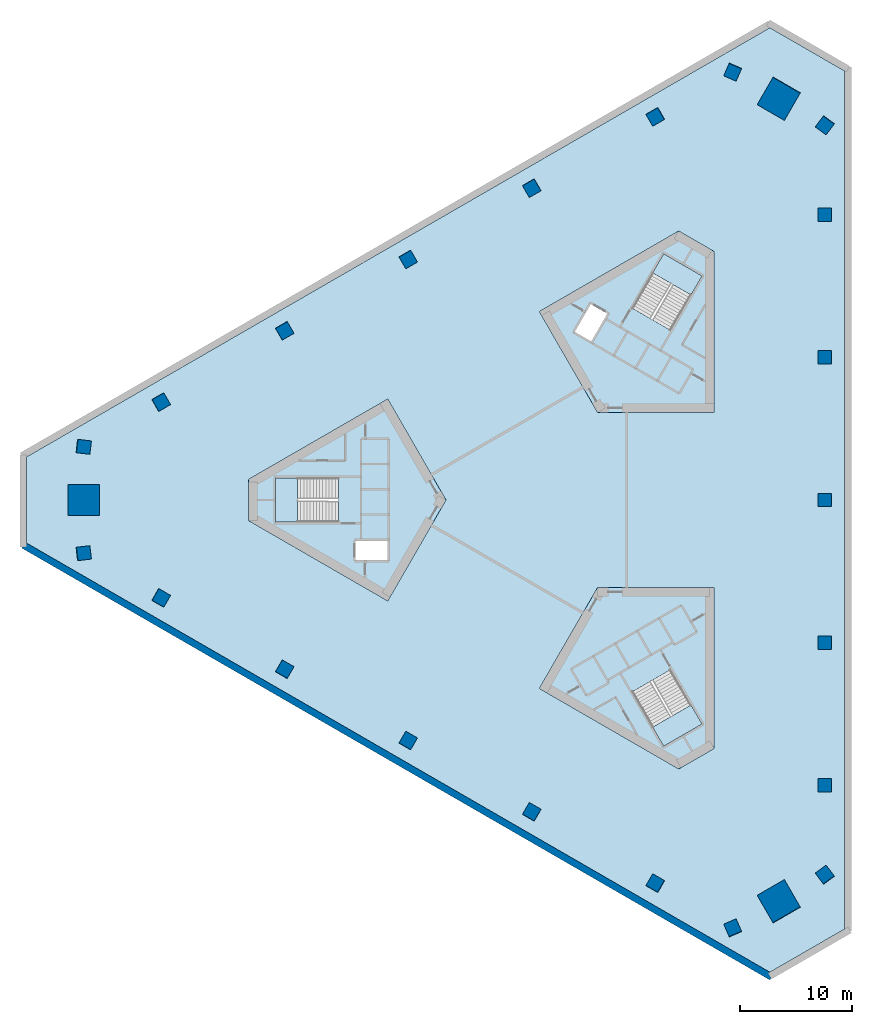
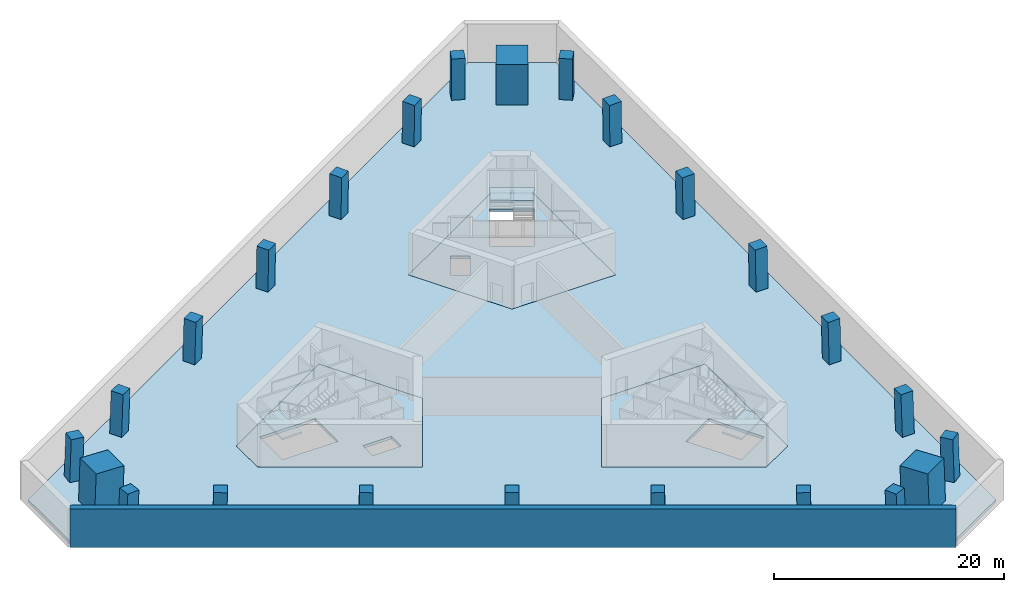
# One storey, part 1 of 6: 24 columns, 7 slabs, 1 wall, 3 elements without a shape of their own.
"""IFC4 building model written with IfcOpenShell, lengths in metres."""

from ifc_helpers import new_model, si_unit, direction, frame, frame_2d, origin, origin_2d, place, context, subcontext, project, spatial, polyline, rectangle, outline, extrude, material, layer, layer_set, material_profile, profile_set, type_object, element, aggregate, save


model = new_model("IFC4")

# Units and contexts
model_context = context("Model", 3, precision=1e-05, world=origin(), true_north=direction((0.0, 1.0)))
body_context = subcontext(model_context, "Body", "Model", "MODEL_VIEW")
ifc_project = project(units=[si_unit("LENGTHUNIT", "METRE"), si_unit("AREAUNIT", "SQUARE_METRE"), si_unit("VOLUMEUNIT", "CUBIC_METRE"), si_unit("PLANEANGLEUNIT", "RADIAN"), si_unit("MASSUNIT", "GRAM", prefix="KILO")], contexts=[model_context])

# Site, building, storey
site_placement = place(None, origin())
site = spatial("IfcSite", under=ifc_project, at=site_placement, CompositionType="ELEMENT")
building_placement = place(site_placement, origin())
building = spatial("IfcBuilding", under=site, at=building_placement, Name="Jabali Bay Hotel Tower and Convention Centre", CompositionType="ELEMENT")
storey_placement = place(building_placement, frame((0.0, 0.0, -4.5)))
storey = spatial("IfcBuildingStorey", under=building, at=storey_placement, Name="B1", CompositionType="ELEMENT", Elevation=-4.5)

# Columns
ifc_material_1 = material(Name="Concrete C60", Category="concrete")
ifc_material_profile_1 = material_profile(ifc_material_1, rectangle(XDim=1.199951171875, YDim=1.199951171875, at=origin_2d()), Name="Frame column 1200")
ifc_profile_set_1 = profile_set([ifc_material_profile_1], Name="Concrete C60")
column_type_1 = type_object("IfcColumnType", Name="Frame column 1200", PredefinedType="COLUMN", material=ifc_profile_set_1)
column_1_placement = place(storey_placement, frame((84.6376953125, 114.13916015625, 0.0), z_axis=(-0.008405659566, -0.02814540203, 0.999568497519), x_axis=(0.866414396072, 0.498869725048, 0.021332878618)))
element("IfcColumn", 1, at=column_1_placement, inside=storey, type_object=column_type_1, Name="FC1 F1.1 B1", PredefinedType="COLUMN", context=body_context, shape_type="SweptSolid", body=[
    extrude(rectangle(XDim=1.199951171875, YDim=1.199951171875, at=origin_2d()), origin(), (0.0, 0.0, 1.0), 4.501953125),
])
column_2_placement = place(storey_placement, frame((73.632080078125, 107.78515625, 0.0), z_axis=(0.000867828886, -0.022834747559, 0.999738876496), x_axis=(0.865839833963, 0.500207415378, 0.01067349634)))
element("IfcColumn", 2, at=column_2_placement, inside=storey, type_object=column_type_1, Name="FC1 F1.2 B1", PredefinedType="COLUMN", context=body_context, shape_type="SweptSolid", body=[
    extrude(rectangle(XDim=1.199951171875, YDim=1.199951171875, at=origin_2d()), origin(), (0.0, 0.0, 1.0), 4.501220703125),
])
column_3_placement = place(storey_placement, frame((62.626708984375, 101.43115234375, 0.0), z_axis=(0.010089092817, -0.017466063909, 0.999796552713), x_axis=(0.865915208932, 0.500190814531, 6.5832e-08)))
element("IfcColumn", 3, at=column_3_placement, inside=storey, type_object=column_type_1, Name="FC1 F1.3 B1", PredefinedType="COLUMN", context=body_context, shape_type="SweptSolid", body=[
    extrude(rectangle(XDim=1.199951171875, YDim=1.199951171875, at=origin_2d()), origin(), (0.0, 0.0, 1.0), 4.5009765625),
])
column_4_placement = place(storey_placement, frame((51.621337890625, 95.0771484375, 0.0), z_axis=(0.019309209326, -0.012149614857, 0.999739736779), x_axis=(-0.49944568018, 0.866110328203, 0.020172058141)))
element("IfcColumn", 4, at=column_4_placement, inside=storey, type_object=column_type_1, Name="FC1 F1.4 B1", PredefinedType="COLUMN", context=body_context, shape_type="SweptSolid", body=[
    extrude(rectangle(XDim=1.199951171875, YDim=1.199951171875, at=origin_2d()), origin(), (0.0, 0.0, 1.0), 4.501220703125),
])
for number, where, z_axis, x_axis, name in (
    (5, (40.615966796875, 88.72314453125, 0.0), (0.028525047444, -0.006832996156, 0.999569723347), (-0.499037562211, 0.866345742443, 0.020163483142), "FC1 F1.5 B1"),
    (6, (40.615966796875, 71.27685546875, 0.0), (0.028525047444, 0.006832996156, 0.999569723347), (-0.8661107511, 0.499398002313, 0.021302631662), "FC1 F2.1 B1"),
):
    element("IfcColumn", number, at=place(storey_placement, frame(where, z_axis=z_axis, x_axis=x_axis)), inside=storey, type_object=column_type_1, Name=name, PredefinedType="COLUMN", context=body_context, shape_type="SweptSolid", body=[
        extrude(rectangle(XDim=1.199951171875, YDim=1.199951171875, at=origin_2d()), origin(), (0.0, 0.0, 1.0), 4.501953125),
    ])
column_5_placement = place(storey_placement, frame((51.621337890625, 64.9228515625, 0.0), z_axis=(0.019309209326, 0.012149614857, 0.999739736779), x_axis=(-0.866129994276, 0.499705199332, 0.01065583297)))
element("IfcColumn", 7, at=column_5_placement, inside=storey, type_object=column_type_1, Name="FC1 F2.2 B1", PredefinedType="COLUMN", context=body_context, shape_type="SweptSolid", body=[
    extrude(rectangle(XDim=1.199951171875, YDim=1.199951171875, at=origin_2d()), origin(), (0.0, 0.0, 1.0), 4.501220703125),
])
column_6_placement = place(storey_placement, frame((62.626708984375, 58.56884765625, 0.0), z_axis=(0.010089092817, 0.017466063909, 0.999796552713), x_axis=(-0.500089053217, -0.865739040168, 0.020170601933)))
element("IfcColumn", 8, at=column_6_placement, inside=storey, type_object=column_type_1, Name="FC1 F2.3 B1", PredefinedType="COLUMN", context=body_context, shape_type="SweptSolid", body=[
    extrude(rectangle(XDim=1.199951171875, YDim=1.199951171875, at=origin_2d()), origin(), (0.0, 0.0, 1.0), 4.5009765625),
])
column_7_placement = place(storey_placement, frame((73.632080078125, 52.21484375, 0.0), z_axis=(0.000867828886, 0.022834747559, 0.999738876496), x_axis=(-0.50032052606, -0.865604480063, 0.020205328479)))
element("IfcColumn", 9, at=column_7_placement, inside=storey, type_object=column_type_1, Name="FC1 F2.4 B1", PredefinedType="COLUMN", context=body_context, shape_type="SweptSolid", body=[
    extrude(rectangle(XDim=1.199951171875, YDim=1.199951171875, at=origin_2d()), origin(), (0.0, 0.0, 1.0), 4.501220703125),
])
for number, where, z_axis, x_axis, name in (
    (10, (84.6376953125, 45.86083984375, 0.0), (-0.008405659566, 0.02814540203, 0.999568497519), (-0.499254883969, -0.866219853025, 0.020192252425), "FC1 F2.5 B1"),
    (11, (99.74658203125, 54.583984375, 0.0), (-0.020173599362, 0.021312431584, 0.999569310328), (-0.000197787651, -0.999772837358, 0.021312779301), "FC1 F0.1 B1"),
):
    element("IfcColumn", number, at=place(storey_placement, frame(where, z_axis=z_axis, x_axis=x_axis)), inside=storey, type_object=column_type_1, Name=name, PredefinedType="COLUMN", context=body_context, shape_type="SweptSolid", body=[
        extrude(rectangle(XDim=1.199951171875, YDim=1.199951171875, at=origin_2d()), origin(), (0.0, 0.0, 1.0), 4.501953125),
    ])
column_8_placement = place(storey_placement, frame((99.74658203125, 67.2919921875, 0.0), z_axis=(-0.020177030618, 0.010685147935, 0.999739323548), x_axis=(-0.001139321104, -0.999942485404, 0.010664325205)))
element("IfcColumn", 12, at=column_8_placement, inside=storey, type_object=column_type_1, Name="FC1 F0.2 B1", PredefinedType="COLUMN", context=body_context, shape_type="SweptSolid", body=[
    extrude(rectangle(XDim=1.199951171875, YDim=1.199951171875, at=origin_2d()), origin(), (0.0, 0.0, 1.0), 4.501220703125),
])
column_9_placement = place(storey_placement, frame((99.74658203125, 80.0, 0.0), z_axis=(-0.020178182547, 0.0, 0.999796399748), x_axis=(0.0, -1.0, 0.0)))
element("IfcColumn", 13, at=column_9_placement, inside=storey, type_object=column_type_1, Name="FC1 F0.3 B1", PredefinedType="COLUMN", context=body_context, shape_type="SweptSolid", body=[
    extrude(rectangle(XDim=1.199951171875, YDim=1.199951171875, at=origin_2d()), origin(), (0.0, 0.0, 1.0), 4.5009765625),
])
column_10_placement = place(storey_placement, frame((99.74658203125, 92.7080078125, 0.0), z_axis=(-0.020177030618, -0.010685147935, 0.999739323548), x_axis=(0.999795773837, 0.000923849693, 0.020188043959)))
element("IfcColumn", 14, at=column_10_placement, inside=storey, type_object=column_type_1, Name="FC1 F0.4 B1", PredefinedType="COLUMN", context=body_context, shape_type="SweptSolid", body=[
    extrude(rectangle(XDim=1.199951171875, YDim=1.199951171875, at=origin_2d()), origin(), (0.0, 0.0, 1.0), 4.501220703125),
])
column_11_placement = place(storey_placement, frame((99.74658203125, 105.416015625, 0.0), z_axis=(-0.020173599362, -0.021312431584, 0.999569310328), x_axis=(0.999796472673, -0.000232253005, 0.02017323201)))
element("IfcColumn", 15, at=column_11_placement, inside=storey, type_object=column_type_1, Name="FC1 F0.5 B1", PredefinedType="COLUMN", context=body_context, shape_type="SweptSolid", body=[
    extrude(rectangle(XDim=1.199951171875, YDim=1.199951171875, at=origin_2d()), origin(), (0.0, 0.0, 1.0), 4.501953125),
])
for number, where, z_axis, x_axis, name in (
    (16, (99.74658203125, 46.6142578125, 0.0), (-0.020169691453, 0.029007486364, 0.999375679753), (-0.803525793787, -0.595268992042, 0.001061052271), "FC1 V0 B1"),
    (17, (99.74658203125, 113.3857421875, 0.0), (-0.020169691453, -0.029007486364, 0.999375679753), (0.594928132017, 0.803002735268, 0.035314655408), "FC1 V1 B1"),
    (18, (91.53955078125, 118.1240234375, 0.0), (-0.015018824532, -0.031989554057, 0.999375356581), (0.917547120491, -0.39762564728, 0.001061274983), "FC1 V2 B1"),
    (19, (33.7138671875, 84.73828125, 0.0), (0.035188540652, -0.002982079716, 0.999376242367), (-0.99282108233, 0.114281658384, 0.03529873989), "FC1 V3 B1"),
    (20, (33.7138671875, 75.26171875, 0.0), (0.035188540652, 0.002982079716, 0.999376242367), (-0.114315637984, 0.993443913745, 0.00106073317), "FC1 V4 B1"),
    (21, (91.53955078125, 41.8759765625, 0.0), (-0.015018824532, 0.031989554057, 0.999375356581), (0.397343323322, -0.916989919823, 0.035323793037), "FC1 V5 B1"),
):
    element("IfcColumn", number, at=place(storey_placement, frame(where, z_axis=z_axis, x_axis=x_axis)), inside=storey, type_object=column_type_1, Name=name, PredefinedType="COLUMN", context=body_context, shape_type="SweptSolid", body=[
        extrude(rectangle(XDim=1.199951171875, YDim=1.199951171875, at=origin_2d()), origin(), (0.0, 0.0, 1.0), 4.5029296875),
    ])
ifc_material_2 = material(Name="Concrete C70", Category="concrete")
ifc_material_profile_2 = material_profile(ifc_material_2, rectangle(XDim=2.800048828125, YDim=2.800048828125, at=origin_2d()), Name="Mega column 2800")
ifc_profile_set_2 = profile_set([ifc_material_profile_2], Name="Concrete C70")
column_type_2 = type_object("IfcColumnType", Name="Mega column 2800", PredefinedType="COLUMN", material=ifc_profile_set_2)
for number, where, z_axis, x_axis, name in (
    (22, (95.64306640625, 115.7548828125, 0.0), (-0.017621451552, -0.030471556222, 0.999380292334), (0.50030272822, 0.86513475762, 0.035199876327), "MC1 M1 B1"),
    (23, (33.7138671875, 80.0, 0.0), (0.035188697115, 0.0, 0.999380686023), (0.0, 1.0, 0.0), "MC1 M0 B1"),
    (24, (95.64306640625, 44.2451171875, 0.0), (-0.017621451552, 0.030471556222, 0.999380292334), (-0.865671221989, -0.5006129597, 7.2494e-08), "MC1 M2 B1"),
):
    element("IfcColumn", number, at=place(storey_placement, frame(where, z_axis=z_axis, x_axis=x_axis)), inside=storey, type_object=column_type_2, Name=name, PredefinedType="COLUMN", context=body_context, shape_type="SweptSolid", body=[
        extrude(rectangle(XDim=2.800048828125, YDim=2.800048828125, at=origin_2d()), origin(), (0.0, 0.0, 1.0), 4.502685546875),
    ])

# Slabs
ifc_material_3 = material(Name="Concrete C40", Category="concrete")
ifc_layer_1 = layer(ifc_material_3, 0.300048828125)
ifc_layer_set_1 = layer_set([ifc_layer_1], Name="Concrete C40")
slab_type_1 = type_object("IfcSlabType", Name="Basement floor slab 300", PredefinedType="FLOOR", material=ifc_layer_set_1)
slab_1_placement = place(storey_placement, frame((0.0, 0.0, -0.300048828125)))
element("IfcSlab", 25, at=slab_1_placement, inside=storey, type_object=slab_type_1, Name="Floor slab B1", PredefinedType="FLOOR", context=body_context, shape_type="SweptSolid", body=[
    extrude(outline(polyline([(28.66015625, 83.84521484375), (94.83984375, 122.053955078125), (101.5, 118.208740234375), (101.5, 41.791259765625), (94.83984375, 37.946044921875), (28.66015625, 76.15478515625), (28.66015625, 83.84521484375)]), holes=[polyline([(48.39697265625, 78.17724609375), (60.81005859375, 71.0107421875), (66.0, 80.0), (60.81005859375, 88.9892578125), (48.39697265625, 81.82275390625), (48.39697265625, 78.17724609375)]), polyline([(89.8798828125, 102.127685546875), (86.72314453125, 103.9501953125), (74.31005859375, 96.78369140625), (79.5, 87.794189453125), (89.8798828125, 87.794189453125), (89.8798828125, 102.127685546875)]), polyline([(74.31005859375, 63.21630859375), (86.72314453125, 56.0498046875), (89.8798828125, 57.872314453125), (89.8798828125, 72.205810546875), (79.5, 72.205810546875), (74.31005859375, 63.21630859375)])]), origin(), (0.0, 0.0, 1.0), 0.300048828125),
])
ifc_layer_2 = layer(ifc_material_3, 0.300048828125)
ifc_layer_set_2 = layer_set([ifc_layer_2], Name="Concrete C40")
slab_type_2 = type_object("IfcSlabType", Name="Core floor slab 300", PredefinedType="FLOOR", material=ifc_layer_set_2)
slab_2_placement = place(storey_placement, frame((0.0, 0.0, -0.300048828125)))
element("IfcSlab", 26, at=slab_2_placement, inside=storey, type_object=slab_type_2, Name="Core floor slab 1 B1", PredefinedType="FLOOR", context=body_context, shape_type="SweptSolid", body=[
    extrude(outline(polyline([(66.0, 80.0), (60.81005859375, 88.9892578125), (48.39697265625, 81.82275390625), (48.39697265625, 78.17724609375), (60.81005859375, 71.0107421875), (66.0, 80.0)]), holes=[polyline([(60.800048828125, 76.35009765625), (57.949951171875, 76.35009765625), (57.949951171875, 74.64990234375), (60.800048828125, 74.64990234375), (60.800048828125, 76.35009765625)]), polyline([(50.820068359375, 81.97509765625), (50.820068359375, 78.02490234375), (56.409912109375, 78.02490234375), (56.409912109375, 81.97509765625), (50.820068359375, 81.97509765625)])]), origin(), (0.0, 0.0, 1.0), 0.300048828125),
])
slab_3_placement = place(storey_placement, frame((0.0, 0.0, -0.300048828125)))
element("IfcSlab", 27, at=slab_3_placement, inside=storey, type_object=slab_type_2, Name="Core floor slab 2 B1", PredefinedType="FLOOR", context=body_context, shape_type="SweptSolid", body=[
    extrude(outline(polyline([(79.5, 87.794189453125), (89.8798828125, 87.794189453125), (89.8798828125, 102.127685546875), (86.72314453125, 103.9501953125), (74.31005859375, 96.78369140625), (79.5, 87.794189453125)]), holes=[polyline([(78.93896484375, 94.12255859375), (80.364013671875, 96.5908203125), (78.891845703125, 97.440673828125), (77.466796875, 94.97265625), (78.93896484375, 94.12255859375)]), polyline([(88.80029296875, 99.952880859375), (85.379638671875, 101.927978515625), (82.584716796875, 97.0869140625), (86.00537109375, 95.11181640625), (88.80029296875, 99.952880859375)])]), origin(), (0.0, 0.0, 1.0), 0.300048828125),
])
slab_4_placement = place(storey_placement, frame((0.0, 0.0, -0.300048828125)))
element("IfcSlab", 28, at=slab_4_placement, inside=storey, type_object=slab_type_2, Name="Core floor slab 3 B1", PredefinedType="FLOOR", context=body_context, shape_type="SweptSolid", body=[
    extrude(outline(polyline([(79.5, 72.205810546875), (74.31005859375, 63.21630859375), (86.72314453125, 56.0498046875), (89.8798828125, 57.872314453125), (89.8798828125, 72.205810546875), (79.5, 72.205810546875)]), holes=[polyline([(88.80029296875, 60.047119140625), (86.00537109375, 64.88818359375), (82.584716796875, 62.9130859375), (85.379638671875, 58.072021484375), (88.80029296875, 60.047119140625)])]), origin(), (0.0, 0.0, 1.0), 0.300048828125),
])

# Stair, slab
stair_type = type_object("IfcStairType", Name="Exit stair 1900", PredefinedType="HALF_TURN_STAIR", material=ifc_material_3)
stair_1_placement = place(storey_placement, origin())
stair_1 = element("IfcStair", 29, at=stair_1_placement, inside=storey, type_object=stair_type, Name="B1 Exit Stair 1", PredefinedType="HALF_TURN_STAIR")
ifc_layer_3 = layer(ifc_material_3, 0.199951171875)
ifc_layer_set_3 = layer_set([ifc_layer_3], Name="Concrete C40")
slab_type_3 = type_object("IfcSlabType", Name="Stair landing 200", PredefinedType="LANDING", material=ifc_layer_set_3)
slab_5_placement = place(storey_placement, frame((0.0, 0.0, 2.050048828125)))
slab_5 = element("IfcSlab", 30, at=slab_5_placement, type_object=slab_type_3, Name="ST1 landing 1", PredefinedType="LANDING", context=body_context, shape_type="SweptSolid", body=[
    extrude(outline(polyline([(52.782958984375, 81.97509765625), (50.820068359375, 81.97509765625), (50.820068359375, 78.02490234375), (52.782958984375, 78.02490234375), (52.782958984375, 81.97509765625)])), origin(), (0.0, 0.0, 1.0), 0.199951171875),
])
aggregate(stair_1, [slab_5])

stair_2_placement = place(storey_placement, origin())
stair_2 = element("IfcStair", 31, at=stair_2_placement, inside=storey, type_object=stair_type, Name="B1 Exit Stair 2", PredefinedType="HALF_TURN_STAIR")
slab_6_placement = place(storey_placement, frame((0.0, 0.0, 2.050048828125)))
slab_6 = element("IfcSlab", 32, at=slab_6_placement, type_object=slab_type_3, Name="ST2 landing 1", PredefinedType="LANDING", context=body_context, shape_type="SweptSolid", body=[
    extrude(outline(polyline([(87.81884765625, 98.2529296875), (88.80029296875, 99.952880859375), (85.379638671875, 101.927978515625), (84.398193359375, 100.22802734375), (87.81884765625, 98.2529296875)])), origin(), (0.0, 0.0, 1.0), 0.199951171875),
])
aggregate(stair_2, [slab_6])

stair_3_placement = place(storey_placement, origin())
stair_3 = element("IfcStair", 33, at=stair_3_placement, inside=storey, type_object=stair_type, Name="B1 Exit Stair 3", PredefinedType="HALF_TURN_STAIR")
slab_7_placement = place(storey_placement, frame((0.0, 0.0, 2.050048828125)))
slab_7 = element("IfcSlab", 34, at=slab_7_placement, type_object=slab_type_3, Name="ST3 landing 1", PredefinedType="LANDING", context=body_context, shape_type="SweptSolid", body=[
    extrude(outline(polyline([(84.398193359375, 59.77197265625), (85.379638671875, 58.072021484375), (88.80029296875, 60.047119140625), (87.81884765625, 61.7470703125), (84.398193359375, 59.77197265625)])), origin(), (0.0, 0.0, 1.0), 0.199951171875),
])
aggregate(stair_3, [slab_7])

# Wall
ifc_layer_4 = layer(ifc_material_3, 0.60009765625)
ifc_layer_set_4 = layer_set([ifc_layer_4], Name="Concrete C40")
wall_type = type_object("IfcWallType", Name="Retaining wall 600", PredefinedType="SOLIDWALL", material=ifc_layer_set_4)
wall_placement = place(storey_placement, frame((28.3603515625, 75.9814453125, 0.0), z_axis=(0.0, 0.0, 1.0), x_axis=(0.866025364439, -0.500000068148, 0.0)))
element("IfcWall", 35, at=wall_placement, inside=storey, type_object=wall_type, Name="Retaining wall B1 5", PredefinedType="SOLIDWALL", context=body_context, shape_type="SweptSolid", body=[
    extrude(rectangle(XDim=76.93701171875, YDim=0.60009765625, at=frame_2d((38.468505859375, 0.0))), origin(), (0.0, 0.0, 1.0), 4.10009765625),
])

save(model, "model.ifc")
